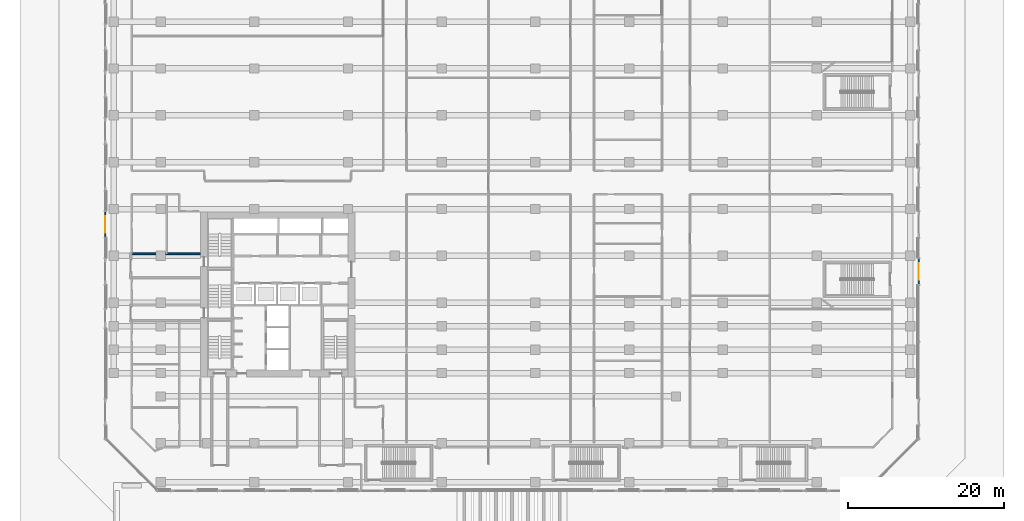
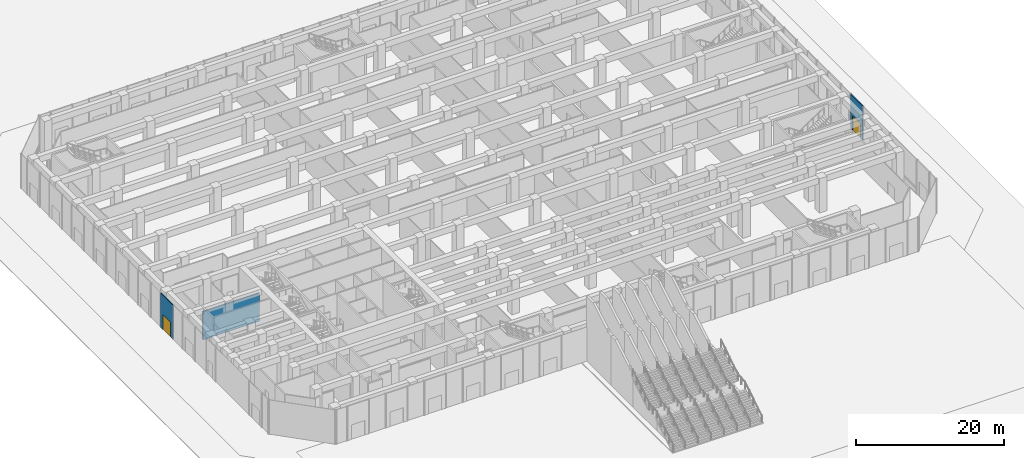
# One storey, part 20 of 32: 3 walls, 2 doors, 2 openings.
"""IFC4 building model written with IfcOpenShell, lengths in metres."""

from ifc_helpers import new_model, si_unit, direction, frame, frame_2d, origin, place, context, subcontext, project, spatial, rectangle, extrude, material, layer, layer_set, type_object, element, fill, save


model = new_model("IFC4")

# Units and contexts
model_context = context("Model", 3, precision=1e-05, world=origin(), true_north=direction((0.0, 1.0)))
body_context = subcontext(model_context, "Body", "Model", "MODEL_VIEW")
ifc_project = project(units=[si_unit("LENGTHUNIT", "METRE"), si_unit("AREAUNIT", "SQUARE_METRE"), si_unit("VOLUMEUNIT", "CUBIC_METRE"), si_unit("PLANEANGLEUNIT", "RADIAN"), si_unit("MASSUNIT", "GRAM", prefix="KILO")], contexts=[model_context])

# Site, building, storey
site_placement = place(None, origin())
site = spatial("IfcSite", under=ifc_project, at=site_placement, CompositionType="ELEMENT")
building_placement = place(site_placement, origin())
building = spatial("IfcBuilding", under=site, at=building_placement, Name="Welwitschia Terrace Campus", CompositionType="ELEMENT")
storey_placement = place(building_placement, origin())
storey = spatial("IfcBuildingStorey", under=building, at=storey_placement, Name="L00", CompositionType="ELEMENT", Elevation=0.0)

# Wall, opening, door
ifc_material_1 = material(Name="Concrete C40/50", Category="concrete")
ifc_layer_1 = layer(ifc_material_1, 0.139892578125)
ifc_layer_set_1 = layer_set([ifc_layer_1], Name="Concrete C40/50")
wall_type_1 = type_object("IfcWallType", Name="Clad wall 140", PredefinedType="SOLIDWALL", material=ifc_layer_set_1)
wall_1_placement = place(storey_placement, frame((97.0849609375, 16.35009765625, 0.0), z_axis=(0.0, 0.0, 1.0), x_axis=(0.0, 1.0, 0.0)))
wall_1 = element("IfcWall", 1, at=wall_1_placement, inside=storey, type_object=wall_type_1, Name="Clad wall L00.entrance E2", PredefinedType="SOLIDWALL", context=body_context, shape_type="SweptSolid", body=[
    extrude(rectangle(XDim=3.2998046875, YDim=0.139892578125, at=frame_2d((1.64990234375, 0.0))), origin(), (0.0, 0.0, 1.0), 5.64990234375),
])
opening_1_placement = place(wall_1_placement, frame((0.60009765625, 0.0, 0.0)))
opening_1 = element("IfcOpeningElement", 2, at=opening_1_placement, cuts=wall_1, Name="Opening DE1", PredefinedType="OPENING", context=body_context, shape_type="SweptSolid", body=[
    extrude(rectangle(XDim=2.10009765625, YDim=2.39990234375, at=frame_2d((1.050048828125, 1.199951171875))), frame((0.0, 0.079833984375, 0.0), z_axis=(0.0, -1.0, 0.0), x_axis=(1.0, 0.0, 0.0)), (0.0, 0.0, 1.0), 0.159912109375),
])
ifc_material_2 = material(Name="Bronze anodised aluminium and glass", Category="aluminium")
door_type = type_object("IfcDoorType", Name="Entrance door 2100x2400", OperationType="DOUBLE_DOOR_DOUBLE_SWING", PredefinedType="DOOR", material=ifc_material_2)
door_1_placement = place(opening_1_placement, origin())
door_1 = element("IfcDoor", 3, at=door_1_placement, inside=storey, type_object=door_type, Name="Entrance door E2", OperationType="DOUBLE_DOOR_DOUBLE_SWING", OverallHeight=2.39990234375, OverallWidth=2.10009765625, PredefinedType="DOOR", context=body_context, shape_type="SweptSolid", body=[
    extrude(rectangle(XDim=2.10009765625, YDim=2.39990234375, at=frame_2d((1.050048828125, 1.199951171875))), frame((0.0, 0.02490234375, 0.0), z_axis=(0.0, -1.0, 0.0), x_axis=(1.0, 0.0, 0.0)), (0.0, 0.0, 1.0), 0.050048828125),
])
fill(opening_1, door_1)

wall_2_placement = place(storey_placement, frame((-7.0849609375, 25.64990234375, 0.0), z_axis=(0.0, 0.0, 1.0), x_axis=(0.0, -1.0, 0.0)))
wall_2 = element("IfcWall", 4, at=wall_2_placement, inside=storey, type_object=wall_type_1, Name="Clad wall L00.entrance W7", PredefinedType="SOLIDWALL", context=body_context, shape_type="SweptSolid", body=[
    extrude(rectangle(XDim=3.2998046875, YDim=0.139892578125, at=frame_2d((1.64990234375, 0.0))), origin(), (0.0, 0.0, 1.0), 5.64990234375),
])
opening_2_placement = place(wall_2_placement, frame((0.60009765625, 0.0, 0.0)))
opening_2 = element("IfcOpeningElement", 5, at=opening_2_placement, cuts=wall_2, Name="Opening DE1", PredefinedType="OPENING", context=body_context, shape_type="SweptSolid", body=[
    extrude(rectangle(XDim=2.10009765625, YDim=2.39990234375, at=frame_2d((1.050048828125, 1.199951171875))), frame((0.0, 0.079833984375, 0.0), z_axis=(0.0, -1.0, 0.0), x_axis=(1.0, 0.0, 0.0)), (0.0, 0.0, 1.0), 0.159912109375),
])
door_2_placement = place(opening_2_placement, origin())
door_2 = element("IfcDoor", 6, at=door_2_placement, inside=storey, type_object=door_type, Name="Entrance door W7", OperationType="DOUBLE_DOOR_DOUBLE_SWING", OverallHeight=2.39990234375, OverallWidth=2.10009765625, PredefinedType="DOOR", context=body_context, shape_type="SweptSolid", body=[
    extrude(rectangle(XDim=2.10009765625, YDim=2.39990234375, at=frame_2d((1.050048828125, 1.199951171875))), frame((0.0, 0.02490234375, 0.0), z_axis=(0.0, -1.0, 0.0), x_axis=(1.0, 0.0, 0.0)), (0.0, 0.0, 1.0), 0.050048828125),
])
fill(opening_2, door_2)

# Wall
ifc_material_3 = material(Name="Concrete C32/40", Category="concrete")
ifc_layer_2 = layer(ifc_material_3, 0.22509765625)
ifc_layer_set_2 = layer_set([ifc_layer_2], Name="Concrete C32/40")
wall_type_2 = type_object("IfcWallType", Name="Core partition 225 under beam Concrete C32/40", PredefinedType="PARTITIONING", material=ifc_layer_set_2)
wall_3_placement = place(storey_placement, frame((5.10009765625, 20.262451171875, 0.0), z_axis=(0.0, 0.0, 1.0), x_axis=(-1.0, 0.0, 0.0)))
element("IfcWall", 7, at=wall_3_placement, inside=storey, type_object=wall_type_2, Name="Exit passage wall", PredefinedType="PARTITIONING", context=body_context, shape_type="SweptSolid", body=[
    extrude(rectangle(XDim=8.800048828125, YDim=0.22509765625, at=frame_2d((4.39990234375, 0.0))), origin(), (0.0, 0.0, 1.0), 4.64990234375),
])

save(model, "model.ifc")
